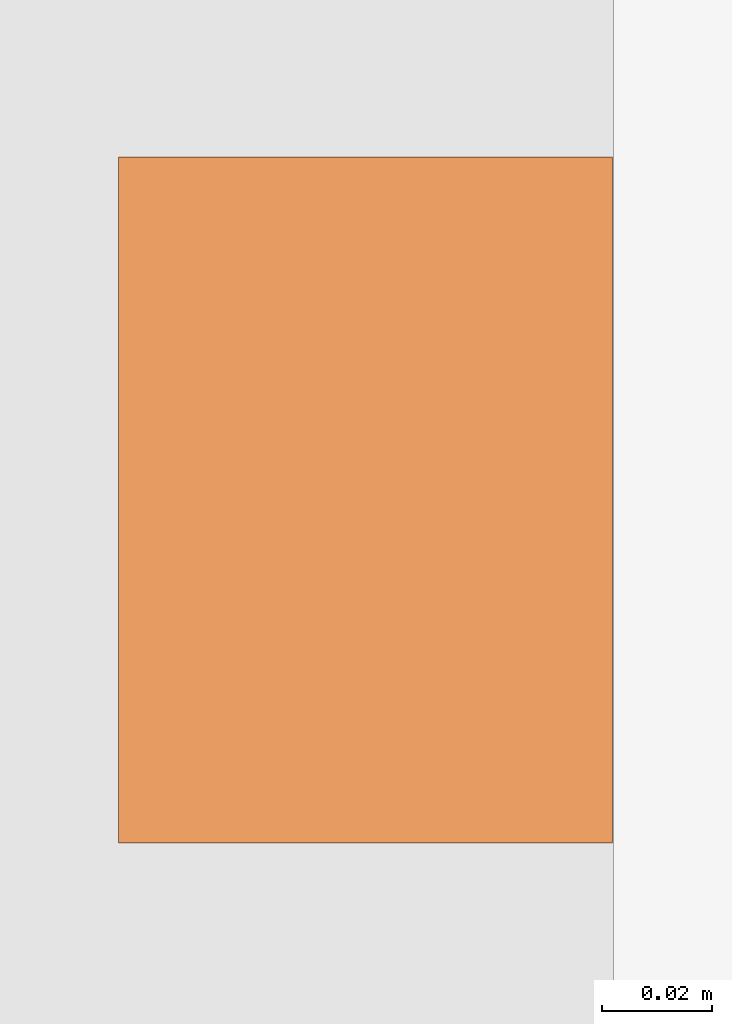
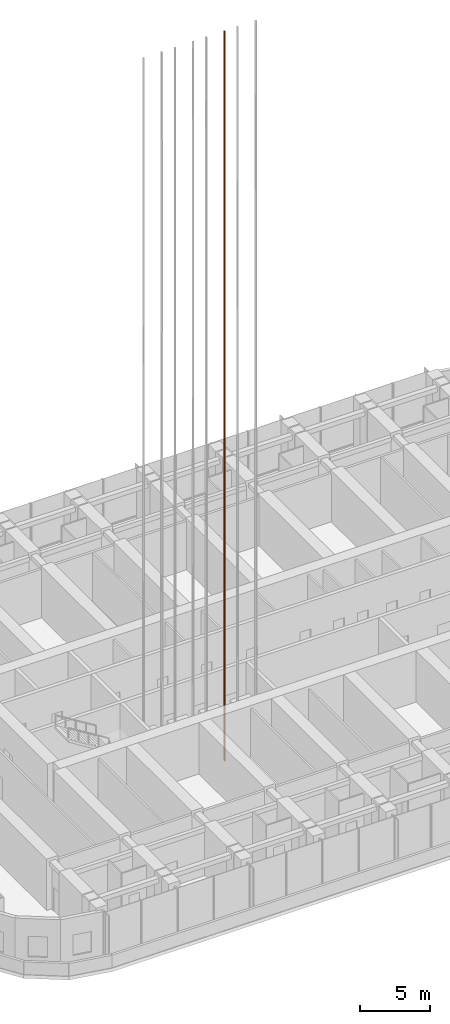
# One storey, part 29 of 31: 1 proxy.
"""IFC4 building model written with IfcOpenShell, lengths in metres."""

from ifc_helpers import new_model, si_unit, direction, frame, origin, origin_2d, place, context, subcontext, project, spatial, rectangle, extrude, material, element, save


model = new_model("IFC4")

# Units and contexts
model_context = context("Model", 3, precision=1e-05, world=origin(), true_north=direction((0.0, 1.0)))
body_context = subcontext(model_context, "Body", "Model", "MODEL_VIEW")
ifc_project = project(units=[si_unit("LENGTHUNIT", "METRE"), si_unit("AREAUNIT", "SQUARE_METRE"), si_unit("VOLUMEUNIT", "CUBIC_METRE"), si_unit("PLANEANGLEUNIT", "RADIAN"), si_unit("MASSUNIT", "GRAM", prefix="KILO")], contexts=[model_context])

# Site, building, storey
site_placement = place(None, origin())
site = spatial("IfcSite", under=ifc_project, at=site_placement, CompositionType="ELEMENT")
building_placement = place(site_placement, origin())
building = spatial("IfcBuilding", under=site, at=building_placement, Name="Orbita Commons", CompositionType="ELEMENT")
storey_placement = place(building_placement, frame((0.0, 0.0, 76.14990234375)))
storey = spatial("IfcBuildingStorey", under=building, at=storey_placement, Name="L18", CompositionType="ELEMENT", Elevation=76.14990234375)

# Proxy
ifc_material = material(Name="Machined steel guide rail", Category="steel")
placement = place(storey_placement, frame((32.5, 28.10009765625, 0.0), z_axis=(0.0, 0.0, 1.0), x_axis=(1.0, 0.0, 0.0)))
proxy_placement = place(placement, frame((0.7548828125, 0.0, -1.800048828125)))
element("IfcBuildingElementProxy", 1, at=proxy_placement, inside=storey, material=ifc_material, Name="P23 guide rail 2", ObjectType="GUIDE RAIL", PredefinedType="USERDEFINED", context=body_context, shape_type="SweptSolid", body=[
    extrude(rectangle(XDim=0.09, YDim=0.125, at=origin_2d()), origin(), (0.0, 0.0, 1.0), 63.89990234375),
])

save(model, "model.ifc")
